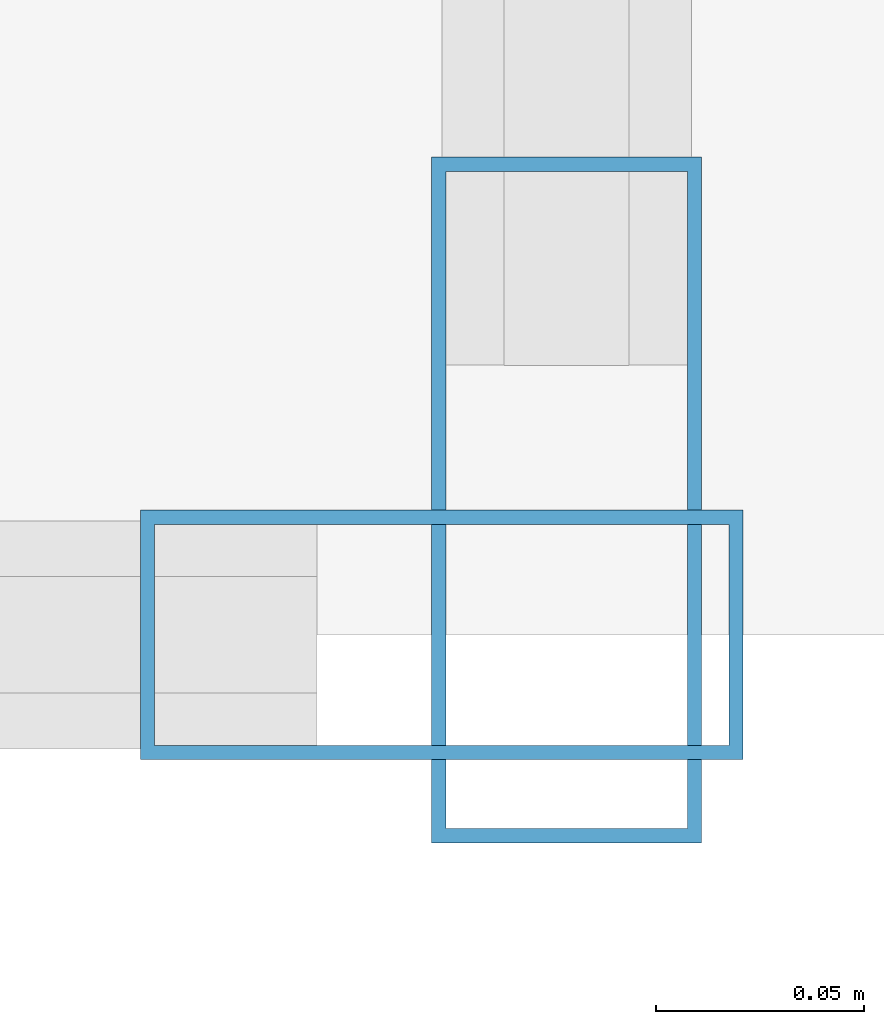
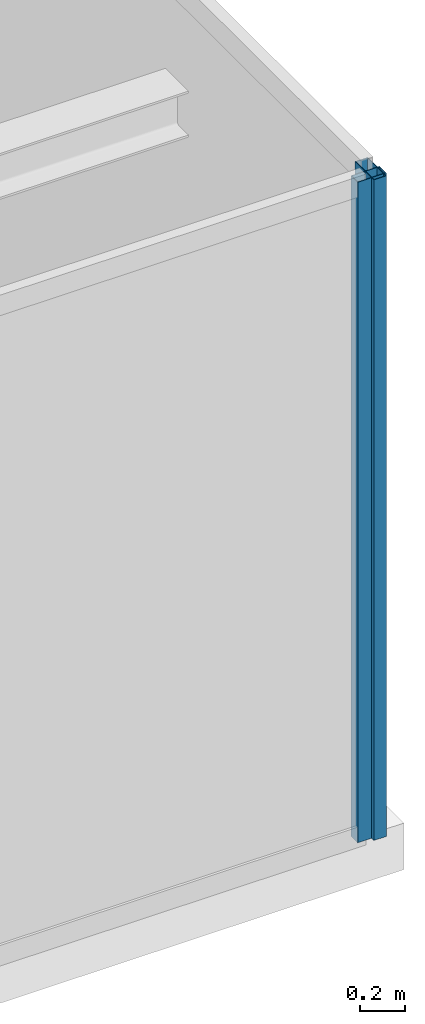
# One storey, part 13 of 26: 2 members, 2 elements without a shape of their own.
"""IFC4 building model written with IfcOpenShell, lengths in metres."""

from ifc_helpers import new_model, si_unit, direction, frame, origin, origin_2d, place, context, subcontext, project, spatial, hollow_rectangle, extrude, source, transform, mapped, material, layer, layer_set, material_profile, profile_set, type_object, type_shapes, element, aggregate, save


model = new_model("IFC4")

# Units and contexts
model_context = context("Model", 3, precision=1e-05, world=origin(), true_north=direction((0.0, 1.0)))
body_context = subcontext(model_context, "Body", "Model", "MODEL_VIEW")
ifc_project = project(units=[si_unit("LENGTHUNIT", "METRE"), si_unit("AREAUNIT", "SQUARE_METRE"), si_unit("VOLUMEUNIT", "CUBIC_METRE"), si_unit("PLANEANGLEUNIT", "RADIAN"), si_unit("MASSUNIT", "GRAM", prefix="KILO")], contexts=[model_context])

# Site, building, storey
site_placement = place(None, origin())
site = spatial("IfcSite", under=ifc_project, at=site_placement, CompositionType="ELEMENT")
building_placement = place(site_placement, origin())
building = spatial("IfcBuilding", under=site, at=building_placement, Name="Varnel Quay Broadcast Tower", CompositionType="ELEMENT")
storey_placement = place(building_placement, frame((0.0, 0.0, 218.800048828125)))
storey = spatial("IfcBuildingStorey", under=building, at=storey_placement, Name="L54", CompositionType="ELEMENT", Elevation=218.800048828125)

# Curtain wall, member
ifc_material = material(Name="Anodised Bronze Aluminium 6063-T6", Category="aluminium")
ifc_layer_1 = layer(ifc_material, 0.18994140625, Name="Anodised Bronze Aluminium 6063-T6")
ifc_layer_set_1 = layer_set([ifc_layer_1], Name="Anodised Bronze Aluminium 6063-T6")
curtain_wall_type_1 = type_object("IfcCurtainWallType", Name="CW_NotchCorner", PredefinedType="NOTDEFINED", material=ifc_layer_set_1)
curtain_wall_1_placement = place(storey_placement, origin())
curtain_wall_1 = element("IfcCurtainWall", 1, at=curtain_wall_1_placement, inside=storey, type_object=curtain_wall_type_1, Name="L54 SE Notch Curtain Wall", PredefinedType="NOTDEFINED")
ifc_material_profile_1 = material_profile(ifc_material, hollow_rectangle(XDim=0.06005859375, YDim=0.14501953125, WallThickness=0.00341796875, at=origin_2d()), Name="ALU60X145X3.5")
ifc_profile_set_1 = profile_set([ifc_material_profile_1], Name="Anodised Bronze Aluminium 6063-T6")
member_type_1 = type_object("IfcMemberType", Name="Mull_CWS-04", PredefinedType="MULLION", material=ifc_profile_set_1)
shared_shape_1 = source(origin(), body_context, "Body", "SweptSolid", [
    extrude(hollow_rectangle(XDim=0.06005859375, YDim=0.14501953125, WallThickness=0.00341796875, at=origin_2d()), origin(), (0.0, 0.0, 1.0), 3.550048828125),
])
type_shapes(member_type_1, [shared_shape_1])
member_1_placement = place(storey_placement, frame((58.320068359375, 13.60009765625, 0.0), z_axis=(0.0, 0.0, 1.0), x_axis=(0.0, 1.0, 0.0)))
member_1 = element("IfcMember", 2, at=member_1_placement, type_object=member_type_1, Name="CWS-04 mullion 2", PredefinedType="MULLION", context=body_context, shape_type="MappedRepresentation", body=[
    mapped(shared_shape_1, transform((0.0, 0.0, 0.0), x_axis=(1.0, 0.0, 0.0), y_axis=(0.0, 1.0, 0.0), z_axis=(0.0, 0.0, 1.0), scale=1.0)),
])
aggregate(curtain_wall_1, [member_1])

ifc_layer_2 = layer(ifc_material, 0.18994140625, Name="Anodised Bronze Aluminium 6063-T6")
ifc_layer_set_2 = layer_set([ifc_layer_2], Name="Anodised Bronze Aluminium 6063-T6")
curtain_wall_type_2 = type_object("IfcCurtainWallType", Name="CW_UpperTower", PredefinedType="NOTDEFINED", material=ifc_layer_set_2)
curtain_wall_2_placement = place(storey_placement, origin())
curtain_wall_2 = element("IfcCurtainWall", 3, at=curtain_wall_2_placement, inside=storey, type_object=curtain_wall_type_2, Name="L54 East Unitised Curtain Wall", PredefinedType="NOTDEFINED")
ifc_material_profile_2 = material_profile(ifc_material, hollow_rectangle(XDim=0.06494140625, YDim=0.1650390625, WallThickness=0.00341796875, at=origin_2d()), Name="ALU65X165X3.5")
ifc_profile_set_2 = profile_set([ifc_material_profile_2], Name="Anodised Bronze Aluminium 6063-T6")
member_type_2 = type_object("IfcMemberType", Name="Mull_CWS-03", PredefinedType="MULLION", material=ifc_profile_set_2)
shared_shape_2 = source(origin(), body_context, "Body", "SweptSolid", [
    extrude(hollow_rectangle(XDim=0.06494140625, YDim=0.1650390625, WallThickness=0.00341796875, at=origin_2d()), origin(), (0.0, 0.0, 1.0), 3.550048828125),
])
type_shapes(member_type_2, [shared_shape_2])
member_2_placement = place(storey_placement, frame((58.35009765625, 13.632568359375, 0.0), z_axis=(0.0, 0.0, 1.0), x_axis=(-1.0, 0.0, 0.0)))
member_2 = element("IfcMember", 4, at=member_2_placement, type_object=member_type_2, Name="CWS-03 mullion 1", PredefinedType="MULLION", context=body_context, shape_type="MappedRepresentation", body=[
    mapped(shared_shape_2, transform((0.0, 0.0, 0.0), x_axis=(1.0, 0.0, 0.0), y_axis=(0.0, 1.0, 0.0), z_axis=(0.0, 0.0, 1.0), scale=1.0)),
])
aggregate(curtain_wall_2, [member_2])

save(model, "model.ifc")
